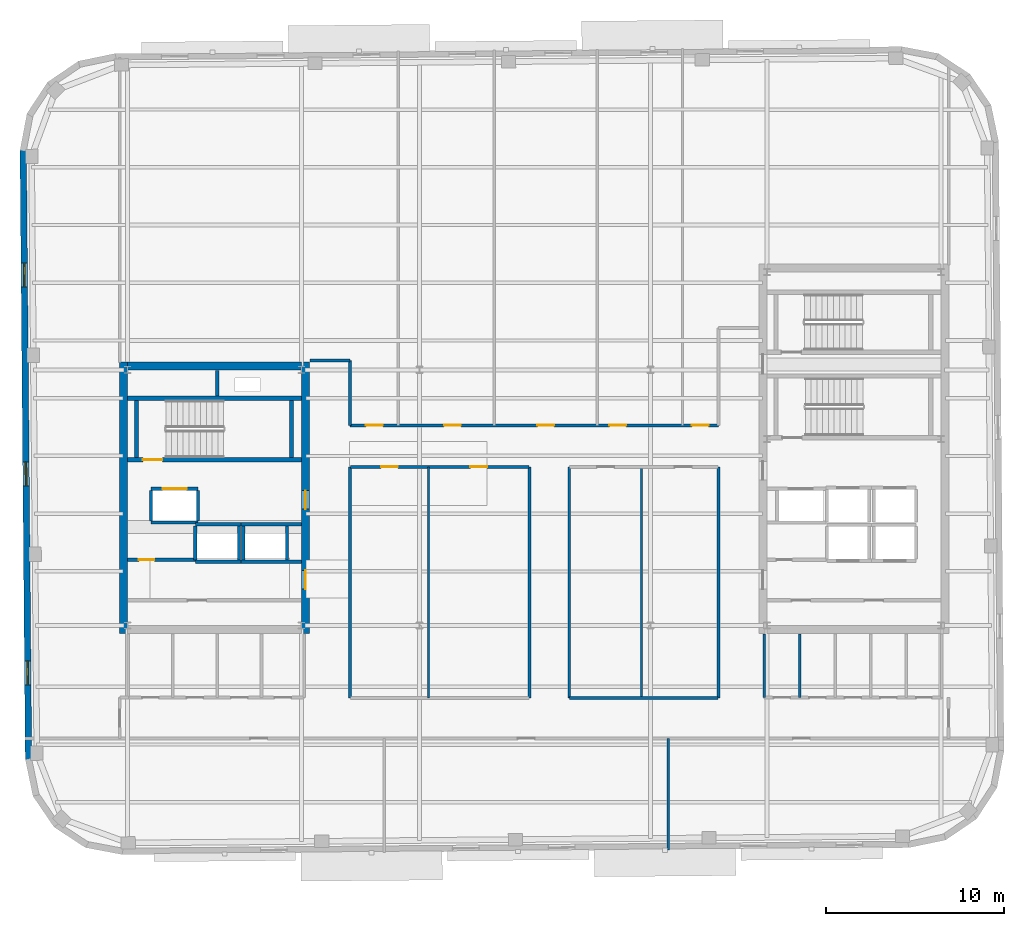
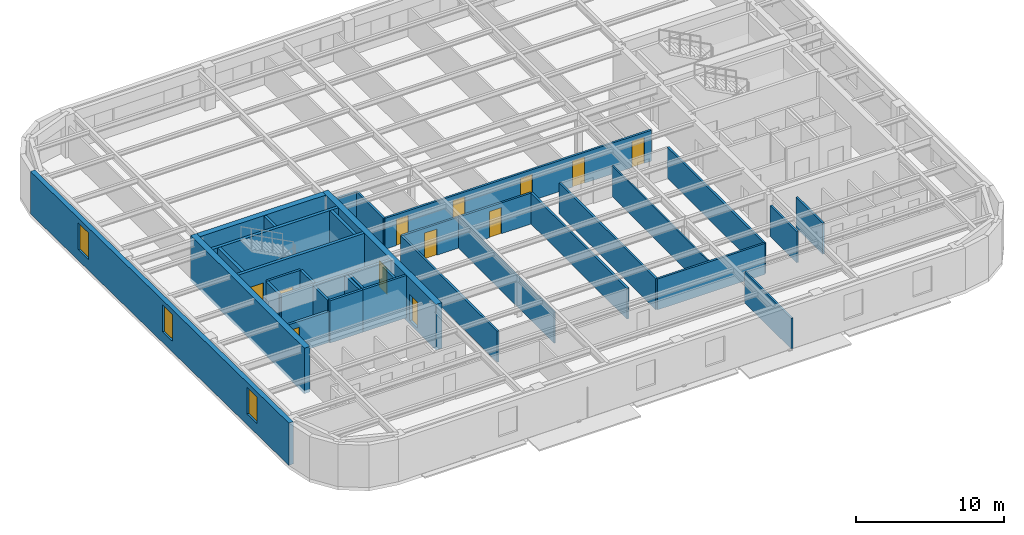
# One storey, part 7 of 13: 36 walls, 12 doors, 3 windows, 15 openings.
"""IFC4 building model written with IfcOpenShell, lengths in metres."""

import ifcopenshell
import ifcopenshell.guid

model = None  # the IFC model being written
_history = None  # IfcOwnerHistory: only IFC2X3 demands one
_inside = {}  # id of a spatial element -> (the spatial element, [elements in it])
_under = {}  # id of a project, library or spatial element -> (it, [spatial elements below it])
_declared = {}  # id of a project -> (the project, [libraries it declares])
_typed = {}  # id of a type object -> (the type object, [elements of that type])
_made_of = {}  # id of a material, layer set ... -> (it, [elements and type objects made of it])


def new_model(schema):
    """Start an empty IFC model of exactly this schema.

    Asked for "IFC4X3", IfcOpenShell would pick the latest addendum, in which some entities
    have other attributes; the version numbers below select the first issue.
    IFC2X3 requires an IfcOwnerHistory on every rooted entity: one is made here for all.
    """
    global model, _history
    if schema == "IFC4X3":
        model = ifcopenshell.file(schema_version=(4, 3, 0, 0))
    else:
        model = ifcopenshell.file(schema=schema)
    _inside.clear()
    _under.clear()
    _declared.clear()
    _typed.clear()
    _made_of.clear()
    _history = None
    if model.schema == "IFC2X3":
        org = make("IfcOrganization", Name="unknown")
        user = make(
            "IfcPersonAndOrganization",
            ThePerson=make("IfcPerson", FamilyName="unknown"),
            TheOrganization=org,
        )
        app = make(
            "IfcApplication",
            ApplicationDeveloper=org,
            Version="unknown",
            ApplicationFullName="unknown",
            ApplicationIdentifier="unknown",
        )
        _history = make(
            "IfcOwnerHistory",
            OwningUser=user,
            OwningApplication=app,
            ChangeAction="ADDED",
            CreationDate=0,
        )
    return model


def make(cls, **values):
    """One entity of the class cls with the attributes given. An attribute that is None is left unset."""
    return model.create_entity(
        cls, **{name: value for name, value in values.items() if value is not None}
    )


def rooted(cls, **values):
    """An entity with a GlobalId (a new one), such as an element, a storey or a relation."""
    return make(cls, GlobalId=ifcopenshell.guid.new(), OwnerHistory=_history, **values)


def si_unit(unit_type, name, prefix=None):
    """IfcSIUnit, for example si_unit("LENGTHUNIT", "METRE", prefix="MILLI")."""
    return make("IfcSIUnit", UnitType=unit_type, Prefix=prefix, Name=name)


def assignment(units):
    """IfcUnitAssignment: the units of a project."""
    return None if units is None else make("IfcUnitAssignment", Units=units)


def point(xyz):
    """IfcCartesianPoint."""
    return None if xyz is None else make("IfcCartesianPoint", Coordinates=xyz)


def direction(xyz):
    """IfcDirection."""
    return None if xyz is None else make("IfcDirection", DirectionRatios=xyz)


def frame(location, z_axis=None, x_axis=None):
    """IfcAxis2Placement3D, a coordinate frame: its origin and axes. An axis left out is left unset."""
    return make(
        "IfcAxis2Placement3D",
        Location=point(location),
        Axis=direction(z_axis),
        RefDirection=direction(x_axis),
    )


def frame_2d(location, x_axis=None):
    """IfcAxis2Placement2D, a coordinate frame in the plane: its origin and x axis."""
    return make(
        "IfcAxis2Placement2D", Location=point(location), RefDirection=direction(x_axis)
    )


def origin():
    """The frame at (0, 0, 0) with its axes left unset."""
    return frame((0.0, 0.0, 0.0))


def place(relative_to, where):
    """IfcLocalPlacement: puts the frame where relative to a parent placement (None: the world)."""
    return make(
        "IfcLocalPlacement", PlacementRelTo=relative_to, RelativePlacement=where
    )


def context(
    kind, dimensions, precision=None, world=None, true_north=None, identifier=None
):
    """IfcGeometricRepresentationContext, for example the 3D "Model" context."""
    return make(
        "IfcGeometricRepresentationContext",
        ContextIdentifier=identifier,
        ContextType=kind,
        CoordinateSpaceDimension=dimensions,
        Precision=precision,
        WorldCoordinateSystem=world,
        TrueNorth=true_north,
    )


def subcontext(parent, identifier, kind, view, scale=None):
    """IfcGeometricRepresentationSubContext, for example "Body" below "Model"."""
    return make(
        "IfcGeometricRepresentationSubContext",
        ContextIdentifier=identifier,
        ContextType=kind,
        ParentContext=parent,
        TargetScale=scale,
        TargetView=view,
    )


def project(units=None, contexts=None):
    """IfcProject with its units and contexts."""
    return rooted(
        "IfcProject",
        Name="project",
        RepresentationContexts=contexts,
        UnitsInContext=assignment(units),
    )


def spatial(cls, under=None, at=None, **own):
    """A site, building, storey or space (cls), placed at a placement, below another one or the project."""
    s = rooted(cls, ObjectPlacement=at, **own)
    if under is not None:
        _under.setdefault(under.id(), (under, []))[1].append(s)
    return s


def profile(cls, at=None, kind="AREA", **sizes):
    """A parametric profile (cls). Its sizes go by their IFC names, for example OverallWidth=200.0."""
    return make(cls, ProfileType=kind, Position=at, **sizes)


def rectangle(**sizes):
    """IfcRectangleProfileDef."""
    return profile("IfcRectangleProfileDef", **sizes)


def extrude(swept, where, along, depth):
    """IfcExtrudedAreaSolid: the profile swept, set in the frame where, extruded along a direction by depth."""
    return make(
        "IfcExtrudedAreaSolid",
        SweptArea=swept,
        Position=where,
        ExtrudedDirection=direction(along),
        Depth=depth,
    )


def shape(context_of_items, identifier, shape_type, items):
    """IfcShapeRepresentation: the items that make up one representation, for example the "Body"."""
    return make(
        "IfcShapeRepresentation",
        ContextOfItems=context_of_items,
        RepresentationIdentifier=identifier,
        RepresentationType=shape_type,
        Items=items,
    )


def material(Name=None, Category=None):
    """IfcMaterial."""
    return make("IfcMaterial", Name=Name, Category=Category)


def layer(
    of_material, thickness, ventilated=None, Name=None, Category=None, Priority=None
):
    """IfcMaterialLayer: one layer of a wall or slab, of a material (None: an air gap)."""
    return make(
        "IfcMaterialLayer",
        Material=of_material,
        LayerThickness=thickness,
        IsVentilated=ventilated,
        Name=Name,
        Category=Category,
        Priority=Priority,
    )


def layer_set(layers, Name=None):
    """IfcMaterialLayerSet."""
    return make("IfcMaterialLayerSet", MaterialLayers=layers, LayerSetName=Name)


def made_of(thing, what):
    """Note that an element or type object is made of a material, layer set ...; save() writes the relation."""
    if what is not None:
        _made_of.setdefault(what.id(), (what, []))[1].append(thing)
    return thing


def type_object(cls, material=None, **own):
    """A type object (cls), such as IfcWallType, which elements share."""
    return made_of(rooted(cls, **own), material)


def element(
    cls,
    number,
    at=None,
    inside=None,
    cuts=None,
    type_object=None,
    material=None,
    context=None,
    identifier="Body",
    shape_type=None,
    held_by="IfcProductDefinitionShape",
    body=None,
    shapes=None,
    **own,
):
    """One element of the class cls, such as IfcWall. Its Tag is "e" and its number.

    at: its placement. inside: the storey or other place that contains it. cuts: it is an
    opening in that element (IfcRelVoidsElement). A single representation is given by context,
    identifier, shape_type and body (its items); several are given by shapes. held_by: the class
    of the entity that holds the representations. save() writes the other relations.
    """
    e = rooted(cls, Tag="e%d" % number, ObjectPlacement=at, **own)
    if body is not None:
        shapes = [shape(context, identifier, shape_type, body)]
    if shapes is not None:
        e.Representation = make(held_by, Representations=shapes)
    if inside is not None:
        _inside.setdefault(inside.id(), (inside, []))[1].append(e)
    if cuts is not None:
        rooted(
            "IfcRelVoidsElement", RelatingBuildingElement=cuts, RelatedOpeningElement=e
        )
    if type_object is not None:
        _typed.setdefault(type_object.id(), (type_object, []))[1].append(e)
    return made_of(e, material)


def fill(opening, filler):
    """IfcRelFillsElement: the door or window that sits in an opening."""
    return rooted(
        "IfcRelFillsElement",
        RelatingOpeningElement=opening,
        RelatedBuildingElement=filler,
    )


def aggregate(whole, parts):
    """IfcRelAggregates: a whole, such as a stair, and the parts it consists of."""
    return rooted("IfcRelAggregates", RelatingObject=whole, RelatedObjects=parts)


def save(model, path):
    """Write the relations noted so far, then the file.

    IfcRelAggregates (storeys below a building ...), IfcRelContainedInSpatialStructure (elements
    in a storey), IfcRelDefinesByType, IfcRelAssociatesMaterial and IfcRelDeclares: one each for
    every whole, place, type object, material and project.
    """
    for whole, parts in _under.values():
        aggregate(whole, parts)
    for where, things in _inside.values():
        rooted(
            "IfcRelContainedInSpatialStructure",
            RelatedElements=things,
            RelatingStructure=where,
        )
    for kind, things in _typed.values():
        rooted("IfcRelDefinesByType", RelatedObjects=things, RelatingType=kind)
    for what, things in _made_of.values():
        rooted("IfcRelAssociatesMaterial", RelatedObjects=things, RelatingMaterial=what)
    for by, libraries in _declared.values():
        rooted("IfcRelDeclares", RelatingContext=by, RelatedDefinitions=libraries)
    model.write(path)


model = new_model("IFC4")

# Units and contexts
model_context = context("Model", 3, precision=1e-05, world=origin(), true_north=direction((0.0, 1.0)))
body_context = subcontext(model_context, "Body", "Model", "MODEL_VIEW")
ifc_project = project(units=[si_unit("LENGTHUNIT", "METRE"), si_unit("AREAUNIT", "SQUARE_METRE"), si_unit("VOLUMEUNIT", "CUBIC_METRE"), si_unit("PLANEANGLEUNIT", "RADIAN"), si_unit("MASSUNIT", "GRAM", prefix="KILO")], contexts=[model_context])

# Site, building, storey
site_placement = place(None, origin())
site = spatial("IfcSite", under=ifc_project, at=site_placement, CompositionType="ELEMENT")
building_placement = place(site_placement, origin())
building = spatial("IfcBuilding", under=site, at=building_placement, Name="Kolvaren Arena Tower", CompositionType="ELEMENT")
storey_placement = place(building_placement, frame((0.0, 0.0, 301.14990234375)))
storey = spatial("IfcBuildingStorey", under=building, at=storey_placement, Name="L74", CompositionType="ELEMENT", Elevation=301.14990234375)

# Wall, openings, doors
ifc_material_1 = material(Name="Gypsum board acoustic assembly", Category="gypsum")
ifc_layer_1 = layer(ifc_material_1, 0.159912109375)
ifc_layer_set_1 = layer_set([ifc_layer_1], Name="Gypsum board acoustic assembly")
wall_type_1 = type_object("IfcWallType", Name="CORR-160", PredefinedType="PARTITIONING", material=ifc_layer_set_1)
wall_1_placement = place(storey_placement, frame((27.080078125, 30.719970703125, 0.0), z_axis=(0.0, 0.0, 1.0), x_axis=(1.0, 0.0, 0.0)))
wall_1 = element("IfcWall", 1, at=wall_1_placement, inside=storey, type_object=wall_type_1, Name="Interior Partition Wall (L74)", PredefinedType="PARTITIONING", context=body_context, shape_type="SweptSolid", body=[
    extrude(rectangle(XDim=20.739990234375, YDim=0.159912109375, at=frame_2d((10.3701171875, 0.0))), origin(), (0.0, 0.0, 1.0), 2.5400390625),
])
opening_1_placement = place(wall_1_placement, frame((0.89501953125, 0.0, 0.0)))
opening_1 = element("IfcOpeningElement", 2, at=opening_1_placement, cuts=wall_1, Name="Opening D05", PredefinedType="OPENING", context=body_context, shape_type="SweptSolid", body=[
    extrude(rectangle(XDim=0.949951171875, YDim=2.14990234375, at=frame_2d((0.47509765625, 1.074951171875))), frame((0.0, 0.08984375, 0.0), z_axis=(0.0, -1.0, 0.0), x_axis=(1.0, 0.0, 0.0)), (0.0, 0.0, 1.0), 0.179931640625),
])
opening_2_placement = place(wall_1_placement, frame((5.294921875, 0.0, 0.0)))
opening_2 = element("IfcOpeningElement", 3, at=opening_2_placement, cuts=wall_1, Name="Opening D05", PredefinedType="OPENING", context=body_context, shape_type="SweptSolid", body=[
    extrude(rectangle(XDim=0.949951171875, YDim=2.14990234375, at=frame_2d((0.47509765625, 1.074951171875))), frame((0.0, 0.08984375, 0.0), z_axis=(0.0, -1.0, 0.0), x_axis=(1.0, 0.0, 0.0)), (0.0, 0.0, 1.0), 0.179931640625),
])
opening_3_placement = place(wall_1_placement, frame((10.544921875, 0.0, 0.0)))
opening_3 = element("IfcOpeningElement", 4, at=opening_3_placement, cuts=wall_1, Name="Opening D05", PredefinedType="OPENING", context=body_context, shape_type="SweptSolid", body=[
    extrude(rectangle(XDim=0.949951171875, YDim=2.14990234375, at=frame_2d((0.47509765625, 1.074951171875))), frame((0.0, 0.08984375, 0.0), z_axis=(0.0, -1.0, 0.0), x_axis=(1.0, 0.0, 0.0)), (0.0, 0.0, 1.0), 0.179931640625),
])
opening_4_placement = place(wall_1_placement, frame((14.594970703125, 0.0, 0.0)))
opening_4 = element("IfcOpeningElement", 5, at=opening_4_placement, cuts=wall_1, Name="Opening D05", PredefinedType="OPENING", context=body_context, shape_type="SweptSolid", body=[
    extrude(rectangle(XDim=0.949951171875, YDim=2.14990234375, at=frame_2d((0.47509765625, 1.074951171875))), frame((0.0, 0.08984375, 0.0), z_axis=(0.0, -1.0, 0.0), x_axis=(1.0, 0.0, 0.0)), (0.0, 0.0, 1.0), 0.179931640625),
])
opening_5_placement = place(wall_1_placement, frame((19.2451171875, 0.0, 0.0)))
opening_5 = element("IfcOpeningElement", 6, at=opening_5_placement, cuts=wall_1, Name="Opening D05", PredefinedType="OPENING", context=body_context, shape_type="SweptSolid", body=[
    extrude(rectangle(XDim=0.949951171875, YDim=2.14990234375, at=frame_2d((0.47509765625, 1.074951171875))), frame((0.0, 0.08984375, 0.0), z_axis=(0.0, -1.0, 0.0), x_axis=(1.0, 0.0, 0.0)), (0.0, 0.0, 1.0), 0.179931640625),
])
ifc_material_2 = material(Name="Solid-core oak acoustic office door", Category="wood")
door_type_1 = type_object("IfcDoorType", Name="DOOR-OF-095", OperationType="NOTDEFINED", PredefinedType="DOOR", material=ifc_material_2)
door_1_placement = place(opening_1_placement, origin())
door_1 = element("IfcDoor", 7, at=door_1_placement, inside=storey, type_object=door_type_1, Name="Corporate Project Office Door (L74)", OperationType="SINGLE_SWING_LEFT", OverallHeight=2.14990234375, OverallWidth=0.949951171875, PredefinedType="DOOR", context=body_context, shape_type="SweptSolid", body=[
    extrude(rectangle(XDim=0.949951171875, YDim=2.14990234375, at=frame_2d((0.47509765625, 1.074951171875))), frame((0.0, 0.02490234375, 0.0), z_axis=(0.0, -1.0, 0.0), x_axis=(1.0, 0.0, 0.0)), (0.0, 0.0, 1.0), 0.050048828125),
])
fill(opening_1, door_1)
door_2_placement = place(opening_2_placement, origin())
door_2 = element("IfcDoor", 8, at=door_2_placement, inside=storey, type_object=door_type_1, Name="Breakout Pantry and Kitchen Door (L74)", OperationType="SINGLE_SWING_RIGHT", OverallHeight=2.14990234375, OverallWidth=0.949951171875, PredefinedType="DOOR", context=body_context, shape_type="SweptSolid", body=[
    extrude(rectangle(XDim=0.949951171875, YDim=2.14990234375, at=frame_2d((0.47509765625, 1.074951171875))), frame((0.0, 0.02490234375, 0.0), z_axis=(0.0, -1.0, 0.0), x_axis=(1.0, 0.0, 0.0)), (0.0, 0.0, 1.0), 0.050048828125),
])
fill(opening_2, door_2)
door_3_placement = place(opening_3_placement, origin())
door_3 = element("IfcDoor", 9, at=door_3_placement, inside=storey, type_object=door_type_1, Name="Open Plan Office Door (L74)", OperationType="SINGLE_SWING_LEFT", OverallHeight=2.14990234375, OverallWidth=0.949951171875, PredefinedType="DOOR", context=body_context, shape_type="SweptSolid", body=[
    extrude(rectangle(XDim=0.949951171875, YDim=2.14990234375, at=frame_2d((0.47509765625, 1.074951171875))), frame((0.0, 0.02490234375, 0.0), z_axis=(0.0, -1.0, 0.0), x_axis=(1.0, 0.0, 0.0)), (0.0, 0.0, 1.0), 0.050048828125),
])
fill(opening_3, door_3)
door_4_placement = place(opening_4_placement, origin())
door_4 = element("IfcDoor", 10, at=door_4_placement, inside=storey, type_object=door_type_1, Name="Tenant Reception Area Door (L74)", OperationType="SINGLE_SWING_RIGHT", OverallHeight=2.14990234375, OverallWidth=0.949951171875, PredefinedType="DOOR", context=body_context, shape_type="SweptSolid", body=[
    extrude(rectangle(XDim=0.949951171875, YDim=2.14990234375, at=frame_2d((0.47509765625, 1.074951171875))), frame((0.0, 0.02490234375, 0.0), z_axis=(0.0, -1.0, 0.0), x_axis=(1.0, 0.0, 0.0)), (0.0, 0.0, 1.0), 0.050048828125),
])
fill(opening_4, door_4)
door_5_placement = place(opening_5_placement, origin())
door_5 = element("IfcDoor", 11, at=door_5_placement, inside=storey, type_object=door_type_1, Name="Executive Office Door (L74)", OperationType="SINGLE_SWING_LEFT", OverallHeight=2.14990234375, OverallWidth=0.949951171875, PredefinedType="DOOR", context=body_context, shape_type="SweptSolid", body=[
    extrude(rectangle(XDim=0.949951171875, YDim=2.14990234375, at=frame_2d((0.47509765625, 1.074951171875))), frame((0.0, 0.02490234375, 0.0), z_axis=(0.0, -1.0, 0.0), x_axis=(1.0, 0.0, 0.0)), (0.0, 0.0, 1.0), 0.050048828125),
])
fill(opening_5, door_5)

# Walls
wall_2_placement = place(storey_placement, frame((27.080078125, 30.719970703125, 0.0), z_axis=(0.0, 0.0, 1.0), x_axis=(0.0, 1.0, 0.0)))
element("IfcWall", 12, at=wall_2_placement, inside=storey, type_object=wall_type_1, Name="Interior Partition Wall (L74)", PredefinedType="PARTITIONING", context=body_context, shape_type="SweptSolid", body=[
    extrude(rectangle(XDim=3.659912109375, YDim=0.159912109375, at=frame_2d((1.830078125, 0.0))), origin(), (0.0, 0.0, 1.0), 2.5400390625),
])
wall_3_placement = place(storey_placement, frame((24.820068359375, 34.3798828125, 0.0), z_axis=(0.0, 0.0, 1.0), x_axis=(1.0, 0.0, 0.0)))
element("IfcWall", 13, at=wall_3_placement, inside=storey, type_object=wall_type_1, Name="Interior Partition Wall (L74)", PredefinedType="PARTITIONING", context=body_context, shape_type="SweptSolid", body=[
    extrude(rectangle(XDim=2.260009765625, YDim=0.159912109375, at=frame_2d((1.1298828125, 0.0))), origin(), (0.0, 0.0, 1.0), 2.5400390625),
])

# Wall, openings, doors
wall_4_placement = place(storey_placement, frame((27.10009765625, 28.3798828125, 0.0), z_axis=(0.0, 0.0, 1.0), x_axis=(1.0, 0.0, 0.0)))
wall_4 = element("IfcWall", 14, at=wall_4_placement, inside=storey, type_object=wall_type_1, Name="Interior Partition Wall (L74)", PredefinedType="PARTITIONING", context=body_context, shape_type="SweptSolid", body=[
    extrude(rectangle(XDim=10.059814453125, YDim=0.159912109375, at=frame_2d((5.02978515625, 0.0))), origin(), (0.0, 0.0, 1.0), 2.5400390625),
])
opening_6_placement = place(wall_4_placement, frame((1.72509765625, 0.0, 0.0)))
opening_6 = element("IfcOpeningElement", 15, at=opening_6_placement, cuts=wall_4, Name="Opening D05", PredefinedType="OPENING", context=body_context, shape_type="SweptSolid", body=[
    extrude(rectangle(XDim=0.949951171875, YDim=2.14990234375, at=frame_2d((0.47509765625, 1.074951171875))), frame((0.0, 0.08984375, 0.0), z_axis=(0.0, -1.0, 0.0), x_axis=(1.0, 0.0, 0.0)), (0.0, 0.0, 1.0), 0.179931640625),
])
opening_7_placement = place(wall_4_placement, frame((6.7548828125, 0.0, 0.0)))
opening_7 = element("IfcOpeningElement", 16, at=opening_7_placement, cuts=wall_4, Name="Opening D05", PredefinedType="OPENING", context=body_context, shape_type="SweptSolid", body=[
    extrude(rectangle(XDim=0.949951171875, YDim=2.14990234375, at=frame_2d((0.47509765625, 1.074951171875))), frame((0.0, 0.08984375, 0.0), z_axis=(0.0, -1.0, 0.0), x_axis=(1.0, 0.0, 0.0)), (0.0, 0.0, 1.0), 0.179931640625),
])
door_6_placement = place(opening_6_placement, origin())
door_6 = element("IfcDoor", 17, at=door_6_placement, inside=storey, type_object=door_type_1, Name="Wellness Room Door (L74)", OperationType="SINGLE_SWING_RIGHT", OverallHeight=2.14990234375, OverallWidth=0.949951171875, PredefinedType="DOOR", context=body_context, shape_type="SweptSolid", body=[
    extrude(rectangle(XDim=0.949951171875, YDim=2.14990234375, at=frame_2d((0.47509765625, 1.074951171875))), frame((0.0, 0.02490234375, 0.0), z_axis=(0.0, -1.0, 0.0), x_axis=(1.0, 0.0, 0.0)), (0.0, 0.0, 1.0), 0.050048828125),
])
fill(opening_6, door_6)
door_7_placement = place(opening_7_placement, origin())
door_7 = element("IfcDoor", 18, at=door_7_placement, inside=storey, type_object=door_type_1, Name="Boardroom Door (L74)", OperationType="SINGLE_SWING_LEFT", OverallHeight=2.14990234375, OverallWidth=0.949951171875, PredefinedType="DOOR", context=body_context, shape_type="SweptSolid", body=[
    extrude(rectangle(XDim=0.949951171875, YDim=2.14990234375, at=frame_2d((0.47509765625, 1.074951171875))), frame((0.0, 0.02490234375, 0.0), z_axis=(0.0, -1.0, 0.0), x_axis=(1.0, 0.0, 0.0)), (0.0, 0.0, 1.0), 0.050048828125),
])
fill(opening_7, door_7)

# Walls
wall_5_placement = place(storey_placement, frame((39.43994140625, 15.3798828125, 0.0), z_axis=(0.0, 0.0, 1.0), x_axis=(1.0, 0.0, 0.0)))
element("IfcWall", 19, at=wall_5_placement, inside=storey, type_object=wall_type_1, Name="Interior Partition Wall (L74)", PredefinedType="PARTITIONING", context=body_context, shape_type="SweptSolid", body=[
    extrude(rectangle(XDim=8.360107421875, YDim=0.159912109375, at=frame_2d((4.18017578125, 0.0))), origin(), (0.0, 0.0, 1.0), 2.5400390625),
])
for number, where, z_axis, x_axis, name in (
    (20, (37.179931640625, 15.3798828125, 0.0), (0.0, 0.0, 1.0), (0.0, 1.0, 0.0), "Interior Partition Wall (L74)"),
    (21, (39.419921875, 15.3798828125, 0.0), (0.0, 0.0, 1.0), (0.0, 1.0, 0.0), "Interior Partition Wall (L74)"),
    (22, (27.080078125, 15.3798828125, 0.0), (0.0, 0.0, 1.0), (0.0, 1.0, 0.0), "Interior Partition Wall (L74)"),
    (23, (47.820068359375, 15.3798828125, 0.0), (0.0, 0.0, 1.0), (0.0, 1.0, 0.0), "Interior Partition Wall (L74)"),
):
    element("IfcWall", number, at=place(storey_placement, frame(where, z_axis=z_axis, x_axis=x_axis)), inside=storey, type_object=wall_type_1, Name=name, PredefinedType="PARTITIONING", context=body_context, shape_type="SweptSolid", body=[
        extrude(rectangle(XDim=13.0, YDim=0.159912109375, at=frame_2d((6.5, 0.0))), origin(), (0.0, 0.0, 1.0), 2.5400390625),
    ])
ifc_material_3 = material(Name="Concrete 55 MPa", Category="concrete")
ifc_layer_2 = layer(ifc_material_3, 0.449951171875)
ifc_layer_set_2 = layer_set([ifc_layer_2], Name="Concrete 55 MPa")
wall_type_2 = type_object("IfcWallType", Name="CWALL-450", PredefinedType="SHEAR", material=ifc_layer_set_2)
wall_6_placement = place(storey_placement, frame((14.324951171875, 19.0, -0.27001953125), z_axis=(0.0, 0.0, 1.0), x_axis=(0.0, 1.0, 0.0)))
element("IfcWall", 24, at=wall_6_placement, inside=storey, type_object=wall_type_2, Name="Core Shear Wall WC-WEST (L74)", PredefinedType="SHEAR", context=body_context, shape_type="SweptSolid", body=[
    extrude(rectangle(XDim=15.300048828125, YDim=0.449951171875, at=frame_2d((7.64990234375, 0.0))), origin(), (0.0, 0.0, 1.0), 3.75),
])

# Wall, openings, doors
wall_7_placement = place(storey_placement, frame((24.574951171875, 19.0, -0.27001953125), z_axis=(0.0, 0.0, 1.0), x_axis=(0.0, 1.0, 0.0)))
wall_7 = element("IfcWall", 25, at=wall_7_placement, inside=storey, type_object=wall_type_2, Name="Core Shear Wall WC-EAST (L74)", PredefinedType="SHEAR", context=body_context, shape_type="SweptSolid", body=[
    extrude(rectangle(XDim=15.300048828125, YDim=0.449951171875, at=frame_2d((7.64990234375, 0.0))), origin(), (0.0, 0.0, 1.0), 3.75),
])
opening_8_placement = place(wall_7_placement, frame((2.5, 0.0, 0.27001953125)))
opening_8 = element("IfcOpeningElement", 26, at=opening_8_placement, cuts=wall_7, Name="Opening D04", PredefinedType="OPENING", context=body_context, shape_type="SweptSolid", body=[
    extrude(rectangle(XDim=1.050048828125, YDim=2.14990234375, at=frame_2d((0.52490234375, 1.074951171875))), frame((0.0, 0.23486328125, 0.0), z_axis=(0.0, -1.0, 0.0), x_axis=(1.0, 0.0, 0.0)), (0.0, 0.0, 1.0), 0.469970703125),
])
opening_9_placement = place(wall_7_placement, frame((7.0, 0.0, 0.27001953125)))
opening_9 = element("IfcOpeningElement", 27, at=opening_9_placement, cuts=wall_7, Name="Opening D04", PredefinedType="OPENING", context=body_context, shape_type="SweptSolid", body=[
    extrude(rectangle(XDim=1.050048828125, YDim=2.14990234375, at=frame_2d((0.52490234375, 1.074951171875))), frame((0.0, 0.23486328125, 0.0), z_axis=(0.0, -1.0, 0.0), x_axis=(1.0, 0.0, 0.0)), (0.0, 0.0, 1.0), 0.469970703125),
])
ifc_material_4 = material(Name="Fire-rated steel lobby door", Category="steel")
door_type_2 = type_object("IfcDoorType", Name="DOOR-FF-105", OperationType="NOTDEFINED", PredefinedType="DOOR", material=ifc_material_4)
door_8_placement = place(opening_8_placement, origin())
door_8 = element("IfcDoor", 28, at=door_8_placement, inside=storey, type_object=door_type_2, Name="West Lift Lobby Fire Door (L74)", OperationType="SINGLE_SWING_LEFT", OverallHeight=2.14990234375, OverallWidth=1.050048828125, PredefinedType="DOOR", context=body_context, shape_type="SweptSolid", body=[
    extrude(rectangle(XDim=1.050048828125, YDim=2.14990234375, at=frame_2d((0.52490234375, 1.074951171875))), frame((0.0, 0.02490234375, 0.0), z_axis=(0.0, -1.0, 0.0), x_axis=(1.0, 0.0, 0.0)), (0.0, 0.0, 1.0), 0.050048828125),
])
fill(opening_8, door_8)
door_9_placement = place(opening_9_placement, origin())
door_9 = element("IfcDoor", 29, at=door_9_placement, inside=storey, type_object=door_type_2, Name="West Firefighter Vestibule Door (L74)", OperationType="SINGLE_SWING_RIGHT", OverallHeight=2.14990234375, OverallWidth=1.050048828125, PredefinedType="DOOR", context=body_context, shape_type="SweptSolid", body=[
    extrude(rectangle(XDim=1.050048828125, YDim=2.14990234375, at=frame_2d((0.52490234375, 1.074951171875))), frame((0.0, 0.02490234375, 0.0), z_axis=(0.0, -1.0, 0.0), x_axis=(1.0, 0.0, 0.0)), (0.0, 0.0, 1.0), 0.050048828125),
])
fill(opening_9, door_9)

# Wall
wall_8_placement = place(storey_placement, frame((14.550048828125, 34.074951171875, -0.27001953125), z_axis=(0.0, 0.0, 1.0), x_axis=(1.0, 0.0, 0.0)))
element("IfcWall", 30, at=wall_8_placement, inside=storey, type_object=wall_type_2, Name="Core Shear Wall WC-NORTH (L74)", PredefinedType="SHEAR", context=body_context, shape_type="SweptSolid", body=[
    extrude(rectangle(XDim=9.800048828125, YDim=0.449951171875, at=frame_2d((4.89990234375, 0.0))), origin(), (0.0, 0.0, 1.0), 3.75),
])

# Wall, openings, windows
ifc_material_5 = material(Name="Precast concrete C50/60", Category="concrete")
ifc_layer_3 = layer(ifc_material_5, 0.360107421875)
ifc_layer_set_3 = layer_set([ifc_layer_3], Name="Precast concrete C50/60")
wall_type_3 = type_object("IfcWallType", Name="EXT-PIER2", PredefinedType="SOLIDWALL", material=ifc_layer_set_3)
wall_9_placement = place(storey_placement, frame((8.980712890625, 11.911865234375, 0.0), z_axis=(0.0, 0.0, 1.0), x_axis=(-0.008726453825, 0.999961923777, 0.0)))
wall_9 = element("IfcWall", 31, at=wall_9_placement, inside=storey, type_object=wall_type_3, Name="Exterior Precast Masonry-Frame Wall (L74)", PredefinedType="SOLIDWALL", context=body_context, shape_type="SweptSolid", body=[
    extrude(rectangle(XDim=34.2998046875, YDim=0.360107421875, at=frame_2d((17.14990234375, 0.0))), origin(), (0.0, 0.0, 1.0), 3.47998046875),
])
opening_10_placement = place(wall_9_placement, frame((4.199951171875, 0.0, 0.8798828125)))
opening_10 = element("IfcOpeningElement", 32, at=opening_10_placement, cuts=wall_9, Name="Opening W04", PredefinedType="OPENING", context=body_context, shape_type="SweptSolid", body=[
    extrude(rectangle(XDim=1.35009765625, YDim=2.199951171875, at=frame_2d((0.675048828125, 1.10009765625))), frame((0.0, 0.18994140625, 0.0), z_axis=(0.0, -1.0, 0.0), x_axis=(1.0, 0.0, 0.0)), (0.0, 0.0, 1.0), 0.380126953125),
])
opening_11_placement = place(wall_9_placement, frame((15.39990234375, 0.0, 0.8798828125)))
opening_11 = element("IfcOpeningElement", 33, at=opening_11_placement, cuts=wall_9, Name="Opening W04", PredefinedType="OPENING", context=body_context, shape_type="SweptSolid", body=[
    extrude(rectangle(XDim=1.35009765625, YDim=2.199951171875, at=frame_2d((0.675048828125, 1.10009765625))), frame((0.0, 0.18994140625, 0.0), z_axis=(0.0, -1.0, 0.0), x_axis=(1.0, 0.0, 0.0)), (0.0, 0.0, 1.0), 0.380126953125),
])
opening_12_placement = place(wall_9_placement, frame((26.60009765625, 0.0, 0.8798828125)))
opening_12 = element("IfcOpeningElement", 34, at=opening_12_placement, cuts=wall_9, Name="Opening W04", PredefinedType="OPENING", context=body_context, shape_type="SweptSolid", body=[
    extrude(rectangle(XDim=1.35009765625, YDim=2.199951171875, at=frame_2d((0.675048828125, 1.10009765625))), frame((0.0, 0.18994140625, 0.0), z_axis=(0.0, -1.0, 0.0), x_axis=(1.0, 0.0, 0.0)), (0.0, 0.0, 1.0), 0.380126953125),
])
ifc_material_6 = material(Name="Triple-glazed curved-facet corner window", Category="glass")
window_type = type_object("IfcWindowType", Name="WIN-CRN-A", PartitioningType="SINGLE_PANEL", PredefinedType="WINDOW", material=ifc_material_6)
window_1_placement = place(opening_10_placement, origin())
window_1 = element("IfcWindow", 35, at=window_1_placement, inside=storey, type_object=window_type, Name="End-Wall Punched Window (L74)", OverallHeight=2.199951171875, OverallWidth=1.35009765625, PartitioningType="SINGLE_PANEL", PredefinedType="WINDOW", context=body_context, shape_type="SweptSolid", body=[
    extrude(rectangle(XDim=1.35009765625, YDim=2.199951171875, at=frame_2d((0.675048828125, 1.10009765625))), frame((0.0, 0.030029296875, 0.0), z_axis=(0.0, -1.0, 0.0), x_axis=(1.0, 0.0, 0.0)), (0.0, 0.0, 1.0), 0.06005859375),
])
fill(opening_10, window_1)
window_2_placement = place(opening_11_placement, origin())
window_2 = element("IfcWindow", 36, at=window_2_placement, inside=storey, type_object=window_type, Name="End-Wall Punched Window (L74)", OverallHeight=2.199951171875, OverallWidth=1.35009765625, PartitioningType="SINGLE_PANEL", PredefinedType="WINDOW", context=body_context, shape_type="SweptSolid", body=[
    extrude(rectangle(XDim=1.35009765625, YDim=2.199951171875, at=frame_2d((0.675048828125, 1.10009765625))), frame((0.0, 0.030029296875, 0.0), z_axis=(0.0, -1.0, 0.0), x_axis=(1.0, 0.0, 0.0)), (0.0, 0.0, 1.0), 0.06005859375),
])
fill(opening_11, window_2)
window_3_placement = place(opening_12_placement, origin())
window_3 = element("IfcWindow", 37, at=window_3_placement, inside=storey, type_object=window_type, Name="End-Wall Punched Window (L74)", OverallHeight=2.199951171875, OverallWidth=1.35009765625, PartitioningType="SINGLE_PANEL", PredefinedType="WINDOW", context=body_context, shape_type="SweptSolid", body=[
    extrude(rectangle(XDim=1.35009765625, YDim=2.199951171875, at=frame_2d((0.675048828125, 1.10009765625))), frame((0.0, 0.030029296875, 0.0), z_axis=(0.0, -1.0, 0.0), x_axis=(1.0, 0.0, 0.0)), (0.0, 0.0, 1.0), 0.06005859375),
])
fill(opening_12, window_3)

# Wall, opening, door
ifc_material_7 = material(Name="Concrete 40 MPa", Category="concrete")
ifc_layer_4 = layer(ifc_material_7, 0.199951171875)
ifc_layer_set_4 = layer_set([ifc_layer_4], Name="Concrete 40 MPa")
wall_type_4 = type_object("IfcWallType", Name="LOBBY-200", PredefinedType="SOLIDWALL", material=ifc_layer_set_4)
wall_10_placement = place(storey_placement, frame((14.550048828125, 23.159912109375, 0.0), z_axis=(0.0, 0.0, 1.0), x_axis=(1.0, 0.0, 0.0)))
wall_10 = element("IfcWall", 38, at=wall_10_placement, inside=storey, type_object=wall_type_4, Name="Core Shaft Wall (L74)", PredefinedType="SOLIDWALL", context=body_context, shape_type="SweptSolid", body=[
    extrude(rectangle(XDim=3.820068359375, YDim=0.199951171875, at=frame_2d((1.91015625, 0.0))), origin(), (0.0, 0.0, 1.0), 2.5400390625),
])
opening_13_placement = place(wall_10_placement, frame((0.64990234375, 0.0, 0.0)))
opening_13 = element("IfcOpeningElement", 39, at=opening_13_placement, cuts=wall_10, Name="Opening D09", PredefinedType="OPENING", context=body_context, shape_type="SweptSolid", body=[
    extrude(rectangle(XDim=0.860107421875, YDim=2.050048828125, at=frame_2d((0.43017578125, 1.02490234375))), frame((0.0, 0.10986328125, 0.0), z_axis=(0.0, -1.0, 0.0), x_axis=(1.0, 0.0, 0.0)), (0.0, 0.0, 1.0), 0.219970703125),
])
ifc_material_8 = material(Name="Fire-rated steel riser access door", Category="steel")
door_type_3 = type_object("IfcDoorType", Name="DOOR-RS-086", OperationType="NOTDEFINED", PredefinedType="DOOR", material=ifc_material_8)
door_10_placement = place(opening_13_placement, origin())
door_10 = element("IfcDoor", 40, at=door_10_placement, inside=storey, type_object=door_type_3, Name="West Document Archive Riser Door (L74)", OperationType="SINGLE_SWING_RIGHT", OverallHeight=2.050048828125, OverallWidth=0.860107421875, PredefinedType="DOOR", context=body_context, shape_type="SweptSolid", body=[
    extrude(rectangle(XDim=0.860107421875, YDim=2.050048828125, at=frame_2d((0.43017578125, 1.02490234375))), frame((0.0, 0.02490234375, 0.0), z_axis=(0.0, -1.0, 0.0), x_axis=(1.0, 0.0, 0.0)), (0.0, 0.0, 1.0), 0.050048828125),
])
fill(opening_13, door_10)

# Walls
ifc_material_9 = material(Name="Gypsum board partition assembly", Category="gypsum")
ifc_layer_5 = layer(ifc_material_9, 0.114990234375)
ifc_layer_set_5 = layer_set([ifc_layer_5], Name="Gypsum board partition assembly")
wall_type_5 = type_object("IfcWallType", Name="PART-115", PredefinedType="PARTITIONING", material=ifc_layer_set_5)
for number, where, z_axis, x_axis, name in (
    (41, (31.5, 15.3798828125, 0.0), (0.0, 0.0, 1.0), (0.0, 1.0, 0.0), "Interior Partition Wall (L74)"),
    (42, (43.5, 15.3798828125, 0.0), (0.0, 0.0, 1.0), (0.0, 1.0, 0.0), "Interior Partition Wall (L74)"),
):
    element("IfcWall", number, at=place(storey_placement, frame(where, z_axis=z_axis, x_axis=x_axis)), inside=storey, type_object=wall_type_5, Name=name, PredefinedType="PARTITIONING", context=body_context, shape_type="SweptSolid", body=[
        extrude(rectangle(XDim=13.0, YDim=0.114990234375, at=frame_2d((6.5, 0.0))), origin(), (0.0, 0.0, 1.0), 2.5400390625),
    ])
ifc_layer_6 = layer(ifc_material_9, 0.135009765625)
ifc_layer_set_6 = layer_set([ifc_layer_6], Name="Gypsum board partition assembly")
wall_type_6 = type_object("IfcWallType", Name="PART-135", PredefinedType="PARTITIONING", material=ifc_layer_set_6)
wall_11_placement = place(storey_placement, frame((45.0, 6.825927734375, 0.0), z_axis=(0.0, 0.0, 1.0), x_axis=(0.0, 1.0, 0.0)))
element("IfcWall", 43, at=wall_11_placement, inside=storey, type_object=wall_type_6, Name="Interior Partition Wall (L74)", PredefinedType="PARTITIONING", context=body_context, shape_type="SweptSolid", body=[
    extrude(rectangle(XDim=6.274169921875, YDim=0.135009765625, at=frame_2d((3.13720703125, 0.0))), origin(), (0.0, 0.0, 1.0), 2.5400390625),
])

# Wall, opening, door
ifc_material_10 = material(Name="Concrete 45 MPa", Category="concrete")
ifc_layer_7 = layer(ifc_material_10, 0.25)
ifc_layer_set_7 = layer_set([ifc_layer_7], Name="Concrete 45 MPa")
wall_type_7 = type_object("IfcWallType", Name="SHAFT-250", PredefinedType="SOLIDWALL", material=ifc_layer_set_7)
wall_12_placement = place(storey_placement, frame((24.35009765625, 28.780029296875, 0.0), z_axis=(0.0, 0.0, 1.0), x_axis=(-1.0, 0.0, 0.0)))
wall_12 = element("IfcWall", 44, at=wall_12_placement, inside=storey, type_object=wall_type_7, Name="Core Shaft Wall (L74)", PredefinedType="SOLIDWALL", context=body_context, shape_type="SweptSolid", body=[
    extrude(rectangle(XDim=9.800048828125, YDim=0.239990234375, at=frame_2d((4.89990234375, 0.0))), origin(), (0.0, 0.0, 1.0), 3.47998046875),
])
opening_14_placement = place(wall_12_placement, frame((7.830078125, 0.0, 0.0)))
opening_14 = element("IfcOpeningElement", 45, at=opening_14_placement, cuts=wall_12, Name="Opening D03", PredefinedType="OPENING", context=body_context, shape_type="SweptSolid", body=[
    extrude(rectangle(XDim=1.10009765625, YDim=2.14990234375, at=frame_2d((0.550048828125, 1.074951171875))), frame((0.0, 0.1298828125, 0.0), z_axis=(0.0, -1.0, 0.0), x_axis=(1.0, 0.0, 0.0)), (0.0, 0.0, 1.0), 0.260009765625),
])
ifc_material_11 = material(Name="Fire-rated steel exit stair door", Category="steel")
door_type_4 = type_object("IfcDoorType", Name="DOOR-ST-110", OperationType="NOTDEFINED", PredefinedType="DOOR", material=ifc_material_11)
door_11_placement = place(opening_14_placement, origin())
door_11 = element("IfcDoor", 46, at=door_11_placement, inside=storey, type_object=door_type_4, Name="Stair ST-W1 Fire Door (L74)", OperationType="SINGLE_SWING_RIGHT", OverallHeight=2.14990234375, OverallWidth=1.10009765625, PredefinedType="DOOR", context=body_context, shape_type="SweptSolid", body=[
    extrude(rectangle(XDim=1.10009765625, YDim=2.14990234375, at=frame_2d((0.550048828125, 1.074951171875))), frame((0.0, 0.02490234375, 0.0), z_axis=(0.0, -1.0, 0.0), x_axis=(1.0, 0.0, 0.0)), (0.0, 0.0, 1.0), 0.050048828125),
])
fill(opening_14, door_11)

# Walls
wall_13_placement = place(storey_placement, frame((14.550048828125, 32.25, 0.0), z_axis=(0.0, 0.0, 1.0), x_axis=(1.0, 0.0, 0.0)))
element("IfcWall", 47, at=wall_13_placement, inside=storey, type_object=wall_type_7, Name="Core Shaft Wall (L74)", PredefinedType="SOLIDWALL", context=body_context, shape_type="SweptSolid", body=[
    extrude(rectangle(XDim=9.800048828125, YDim=0.239990234375, at=frame_2d((4.89990234375, 0.0))), origin(), (0.0, 0.0, 1.0), 3.47998046875),
])
for number, where, z_axis, x_axis, name in (
    (48, (15.06005859375, 28.89990234375, 0.0), (0.0, 0.0, 1.0), (0.0, 1.0, 0.0), "Core Shaft Wall (L74)"),
    (49, (23.780029296875, 28.89990234375, 0.0), (0.0, 0.0, 1.0), (0.0, 1.0, 0.0), "Core Shaft Wall (L74)"),
):
    element("IfcWall", number, at=place(storey_placement, frame(where, z_axis=z_axis, x_axis=x_axis)), inside=storey, type_object=wall_type_7, Name=name, PredefinedType="SOLIDWALL", context=body_context, shape_type="SweptSolid", body=[
        extrude(rectangle(XDim=3.22998046875, YDim=0.239990234375, at=frame_2d((1.614990234375, 0.0))), origin(), (0.0, 0.0, 1.0), 3.47998046875),
    ])
wall_14_placement = place(storey_placement, frame((19.60009765625, 32.3701171875, 0.0), z_axis=(0.0, 0.0, 1.0), x_axis=(0.0, 1.0, 0.0)))
element("IfcWall", 50, at=wall_14_placement, inside=storey, type_object=wall_type_7, Name="Core Shaft Wall (L74)", PredefinedType="SOLIDWALL", context=body_context, shape_type="SweptSolid", body=[
    extrude(rectangle(XDim=1.429931640625, YDim=0.199951171875, at=frame_2d((0.71484375, 0.0))), origin(), (0.0, 0.0, 1.0), 3.47998046875),
])
for number, where, z_axis, x_axis, name in (
    (51, (18.3701171875, 25.155029296875, 0.0), (0.0, 0.0, 1.0), (1.0, 0.0, 0.0), "Core Shaft Wall (L74)"),
    (52, (18.3701171875, 23.044921875, 0.0), (0.0, 0.0, 1.0), (1.0, 0.0, 0.0), "Core Shaft Wall (L74)"),
):
    element("IfcWall", number, at=place(storey_placement, frame(where, z_axis=z_axis, x_axis=x_axis)), inside=storey, type_object=wall_type_7, Name=name, PredefinedType="SOLIDWALL", context=body_context, shape_type="SweptSolid", body=[
        extrude(rectangle(XDim=2.579833984375, YDim=0.179931640625, at=frame_2d((1.2900390625, 0.0))), origin(), (0.0, 0.0, 1.0), 3.47998046875),
    ])
for number, where, z_axis, x_axis, name in (
    (53, (18.3701171875, 23.135009765625, 0.0), (0.0, 0.0, 1.0), (0.0, 1.0, 0.0), "Core Shaft Wall (L74)"),
    (54, (20.830078125, 23.135009765625, 0.0), (0.0, 0.0, 1.0), (0.0, 1.0, 0.0), "Core Shaft Wall (L74)"),
):
    element("IfcWall", number, at=place(storey_placement, frame(where, z_axis=z_axis, x_axis=x_axis)), inside=storey, type_object=wall_type_7, Name=name, PredefinedType="SOLIDWALL", context=body_context, shape_type="SweptSolid", body=[
        extrude(rectangle(XDim=1.929931640625, YDim=0.179931640625, at=frame_2d((0.96484375, 0.0))), origin(), (0.0, 0.0, 1.0), 3.47998046875),
    ])
for number, where, z_axis, x_axis, name in (
    (55, (20.949951171875, 25.155029296875, 0.0), (0.0, 0.0, 1.0), (1.0, 0.0, 0.0), "Core Shaft Wall (L74)"),
    (56, (20.949951171875, 23.044921875, 0.0), (0.0, 0.0, 1.0), (1.0, 0.0, 0.0), "Core Shaft Wall (L74)"),
):
    element("IfcWall", number, at=place(storey_placement, frame(where, z_axis=z_axis, x_axis=x_axis)), inside=storey, type_object=wall_type_7, Name=name, PredefinedType="SOLIDWALL", context=body_context, shape_type="SweptSolid", body=[
        extrude(rectangle(XDim=3.400146484375, YDim=0.179931640625, at=frame_2d((1.7001953125, 0.0))), origin(), (0.0, 0.0, 1.0), 3.47998046875),
    ])
for number, where, z_axis, x_axis, name in (
    (57, (21.070068359375, 23.135009765625, 0.0), (0.0, 0.0, 1.0), (0.0, 1.0, 0.0), "Core Shaft Wall (L74)"),
    (58, (23.530029296875, 23.135009765625, 0.0), (0.0, 0.0, 1.0), (0.0, 1.0, 0.0), "Core Shaft Wall (L74)"),
):
    element("IfcWall", number, at=place(storey_placement, frame(where, z_axis=z_axis, x_axis=x_axis)), inside=storey, type_object=wall_type_7, Name=name, PredefinedType="SOLIDWALL", context=body_context, shape_type="SweptSolid", body=[
        extrude(rectangle(XDim=1.929931640625, YDim=0.179931640625, at=frame_2d((0.96484375, 0.0))), origin(), (0.0, 0.0, 1.0), 3.47998046875),
    ])

# Wall, opening, door
wall_15_placement = place(storey_placement, frame((15.8701171875, 27.155029296875, 0.0), z_axis=(0.0, 0.0, 1.0), x_axis=(1.0, 0.0, 0.0)))
wall_15 = element("IfcWall", 59, at=wall_15_placement, inside=storey, type_object=wall_type_7, Name="Core Shaft Wall (L74)", PredefinedType="SOLIDWALL", context=body_context, shape_type="SweptSolid", body=[
    extrude(rectangle(XDim=2.659912109375, YDim=0.179931640625, at=frame_2d((1.330078125, 0.0))), origin(), (0.0, 0.0, 1.0), 3.47998046875),
])
opening_15_placement = place(wall_15_placement, frame((0.655029296875, 0.0, 0.0)))
opening_15 = element("IfcOpeningElement", 60, at=opening_15_placement, cuts=wall_15, Name="Opening LD2", PredefinedType="OPENING", context=body_context, shape_type="SweptSolid", body=[
    extrude(rectangle(XDim=1.35009765625, YDim=2.300048828125, at=frame_2d((0.675048828125, 1.14990234375))), frame((0.0, 0.099853515625, 0.0), z_axis=(0.0, -1.0, 0.0), x_axis=(1.0, 0.0, 0.0)), (0.0, 0.0, 1.0), 0.199951171875),
])
ifc_material_12 = material(Name="Stainless steel firefighter lift landing door", Category="steel")
door_type_5 = type_object("IfcDoorType", Name="DOOR-LD-135", OperationType="DOUBLE_DOOR_SLIDING", PredefinedType="DOOR", material=ifc_material_12)
door_12_placement = place(opening_15_placement, origin())
door_12 = element("IfcDoor", 61, at=door_12_placement, inside=storey, type_object=door_type_5, Name="Firefighter Lift FF-W1 Landing Door (L74)", OperationType="DOUBLE_DOOR_SLIDING", OverallHeight=2.300048828125, OverallWidth=1.35009765625, PredefinedType="DOOR", context=body_context, shape_type="SweptSolid", body=[
    extrude(rectangle(XDim=1.35009765625, YDim=2.300048828125, at=frame_2d((0.675048828125, 1.14990234375))), frame((0.0, 0.02490234375, 0.0), z_axis=(0.0, -1.0, 0.0), x_axis=(1.0, 0.0, 0.0)), (0.0, 0.0, 1.0), 0.050048828125),
])
fill(opening_15, door_12)

# Walls
wall_16_placement = place(storey_placement, frame((15.8701171875, 25.2451171875, 0.0), z_axis=(0.0, 0.0, 1.0), x_axis=(1.0, 0.0, 0.0)))
element("IfcWall", 62, at=wall_16_placement, inside=storey, type_object=wall_type_7, Name="Core Shaft Wall (L74)", PredefinedType="SOLIDWALL", context=body_context, shape_type="SweptSolid", body=[
    extrude(rectangle(XDim=2.659912109375, YDim=0.179931640625, at=frame_2d((1.330078125, 0.0))), origin(), (0.0, 0.0, 1.0), 3.47998046875),
])
for number, where, z_axis, x_axis, name in (
    (63, (15.8701171875, 25.3349609375, 0.0), (0.0, 0.0, 1.0), (0.0, 1.0, 0.0), "Core Shaft Wall (L74)"),
    (64, (18.530029296875, 25.3349609375, 0.0), (0.0, 0.0, 1.0), (0.0, 1.0, 0.0), "Core Shaft Wall (L74)"),
):
    element("IfcWall", number, at=place(storey_placement, frame(where, z_axis=z_axis, x_axis=x_axis)), inside=storey, type_object=wall_type_7, Name=name, PredefinedType="SOLIDWALL", context=body_context, shape_type="SweptSolid", body=[
        extrude(rectangle(XDim=1.72998046875, YDim=0.179931640625, at=frame_2d((0.864990234375, 0.0))), origin(), (0.0, 0.0, 1.0), 3.47998046875),
    ])
ifc_material_13 = material(Name="Moisture-resistant gypsum assembly", Category="gypsum")
ifc_layer_8 = layer(ifc_material_13, 0.14990234375)
ifc_layer_set_8 = layer_set([ifc_layer_8], Name="Moisture-resistant gypsum assembly")
wall_type_8 = type_object("IfcWallType", Name="WETW-150", PredefinedType="PARTITIONING", material=ifc_layer_set_8)
for number, where, z_axis, x_axis, name in (
    (65, (52.39990234375, 15.39990234375, 0.0), (0.0, 0.0, 1.0), (0.0, 1.0, 0.0), "Interior Partition Wall (L74)"),
    (66, (50.39990234375, 15.39990234375, 0.0), (0.0, 0.0, 1.0), (0.0, 1.0, 0.0), "Interior Partition Wall (L74)"),
):
    element("IfcWall", number, at=place(storey_placement, frame(where, z_axis=z_axis, x_axis=x_axis)), inside=storey, type_object=wall_type_8, Name=name, PredefinedType="PARTITIONING", context=body_context, shape_type="SweptSolid", body=[
        extrude(rectangle(XDim=3.580078125, YDim=0.14990234375, at=frame_2d((1.7900390625, 0.0))), origin(), (0.0, 0.0, 1.0), 2.5400390625),
    ])

save(model, "model.ifc")
